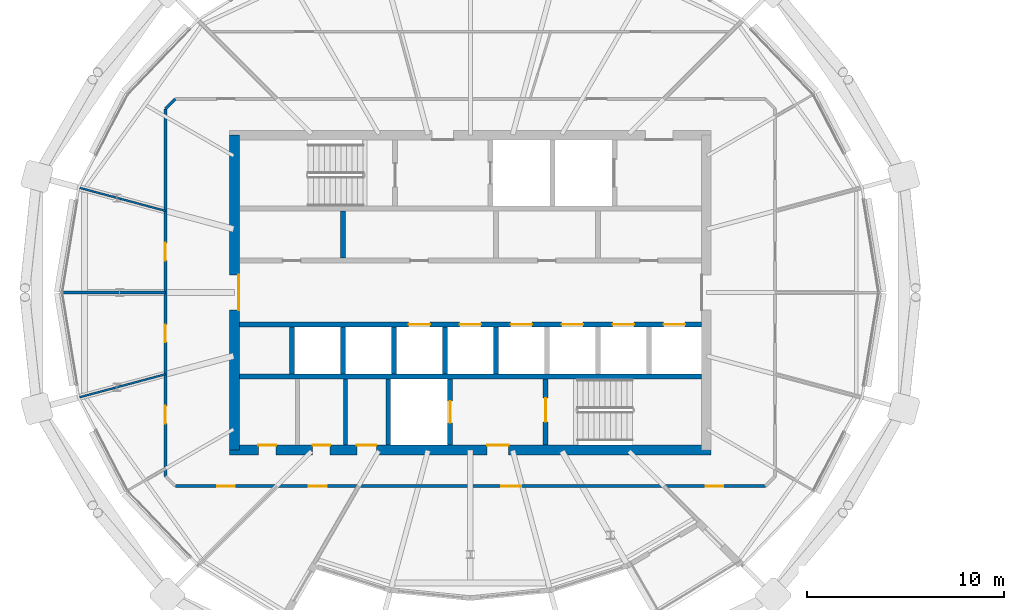
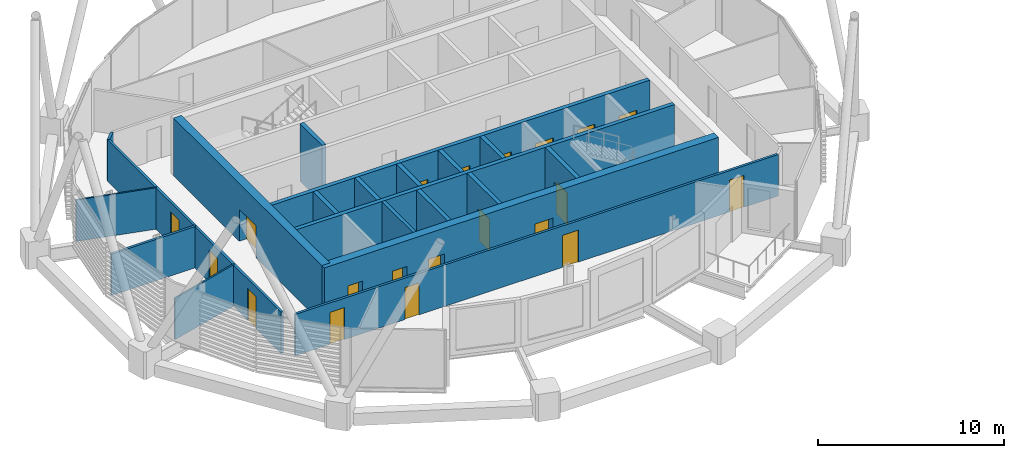
# One storey, part 21 of 34: 20 doors, 20 walls, 20 openings.
"""IFC4 building model written with IfcOpenShell, lengths in metres."""

from ifc_helpers import new_model, si_unit, direction, frame, frame_2d, origin, place, context, subcontext, project, spatial, rectangle, extrude, material, layer, layer_set, type_object, element, fill, save


model = new_model("IFC4")

# Units and contexts
model_context = context("Model", 3, precision=1e-05, world=origin(), true_north=direction((0.0, 1.0)))
body_context = subcontext(model_context, "Body", "Model", "MODEL_VIEW")
ifc_project = project(units=[si_unit("LENGTHUNIT", "METRE"), si_unit("AREAUNIT", "SQUARE_METRE"), si_unit("VOLUMEUNIT", "CUBIC_METRE"), si_unit("PLANEANGLEUNIT", "RADIAN"), si_unit("MASSUNIT", "GRAM", prefix="KILO")], contexts=[model_context])

# Site, building, storey
site_placement = place(None, origin())
site = spatial("IfcSite", under=ifc_project, at=site_placement, CompositionType="ELEMENT")
building_placement = place(site_placement, origin())
building = spatial("IfcBuilding", under=site, at=building_placement, Name="Rimbun Link Towers", CompositionType="ELEMENT")
storey_placement = place(building_placement, frame((0.0, 0.0, 221.89990234375)))
storey = spatial("IfcBuildingStorey", under=building, at=storey_placement, Name="L54", CompositionType="ELEMENT", Elevation=221.89990234375)

# Wall
ifc_material_1 = material(Name="Masonry blockwork", Category="masonry")
ifc_layer_1 = layer(ifc_material_1, 0.199951171875)
ifc_layer_set_1 = layer_set([ifc_layer_1], Name="Core partition 200")
wall_type_1 = type_object("IfcWallType", Name="Core partition 200", PredefinedType="PARTITIONING", material=ifc_layer_set_1)
wall_1_placement = place(storey_placement, frame((-38.10009765625, -4.39990234375, 0.0), z_axis=(0.0, 0.0, 1.0), x_axis=(0.0, -1.0, 0.0)))
element("IfcWall", 1, at=wall_1_placement, inside=storey, type_object=wall_type_1, Name="L54 T1 core wall C2", PredefinedType="PARTITIONING", context=body_context, shape_type="SweptSolid", body=[
    extrude(rectangle(XDim=3.35009765625, YDim=0.199951171875, at=frame_2d((1.675048828125, 0.0))), origin(), (0.0, 0.0, 1.0), 3.800048828125),
])

# Wall, openings, doors
ifc_material_2 = material(Name="Concrete C60/75", Category="concrete")
ifc_layer_2 = layer(ifc_material_2, 0.5)
ifc_layer_set_2 = layer_set([ifc_layer_2], Name="Core shear wall 500")
wall_type_2 = type_object("IfcWallType", Name="Core shear wall 500", PredefinedType="SHEAR", material=ifc_layer_set_2)
wall_2_placement = place(storey_placement, frame((-44.0, -8.0, 0.0), z_axis=(0.0, 0.0, 1.0), x_axis=(1.0, 0.0, 0.0)))
wall_2 = element("IfcWall", 2, at=wall_2_placement, inside=storey, type_object=wall_type_2, Name="L54 T1 core wall S", PredefinedType="SHEAR", context=body_context, shape_type="SweptSolid", body=[
    extrude(rectangle(XDim=24.5, YDim=0.5, at=frame_2d((12.25, 0.0))), origin(), (0.0, 0.0, 1.0), 3.800048828125),
])
opening_1_placement = place(wall_2_placement, frame((13.10009765625, 0.0, 0.0)))
opening_1 = element("IfcOpeningElement", 3, at=opening_1_placement, cuts=wall_2, Name="Opening C1DCF01S", PredefinedType="OPENING", context=body_context, shape_type="SweptSolid", body=[
    extrude(rectangle(XDim=1.10009765625, YDim=2.10009765625, at=frame_2d((0.550048828125, 1.050048828125))), frame((0.0, 0.260009765625, 0.0), z_axis=(0.0, -1.0, 0.0), x_axis=(1.0, 0.0, 0.0)), (0.0, 0.0, 1.0), 0.52001953125),
])
opening_2_placement = place(wall_2_placement, frame((1.47509765625, 0.0, 0.0)))
opening_2 = element("IfcOpeningElement", 4, at=opening_2_placement, cuts=wall_2, Name="Opening C1DWC02S", PredefinedType="OPENING", context=body_context, shape_type="SweptSolid", body=[
    extrude(rectangle(XDim=0.89990234375, YDim=2.10009765625, at=frame_2d((0.449951171875, 1.050048828125))), frame((0.0, 0.260009765625, 0.0), z_axis=(0.0, -1.0, 0.0), x_axis=(1.0, 0.0, 0.0)), (0.0, 0.0, 1.0), 0.52001953125),
])
opening_3_placement = place(wall_2_placement, frame((4.22509765625, 0.0, 0.0)))
opening_3 = element("IfcOpeningElement", 5, at=opening_3_placement, cuts=wall_2, Name="Opening C1DWC03S", PredefinedType="OPENING", context=body_context, shape_type="SweptSolid", body=[
    extrude(rectangle(XDim=0.89990234375, YDim=2.10009765625, at=frame_2d((0.449951171875, 1.050048828125))), frame((0.0, 0.260009765625, 0.0), z_axis=(0.0, -1.0, 0.0), x_axis=(1.0, 0.0, 0.0)), (0.0, 0.0, 1.0), 0.52001953125),
])
opening_4_placement = place(wall_2_placement, frame((6.47509765625, 0.0, 0.0)))
opening_4 = element("IfcOpeningElement", 6, at=opening_4_placement, cuts=wall_2, Name="Opening C1DAW04S", PredefinedType="OPENING", context=body_context, shape_type="SweptSolid", body=[
    extrude(rectangle(XDim=1.0, YDim=2.10009765625, at=frame_2d((0.5, 1.050048828125))), frame((0.0, 0.260009765625, 0.0), z_axis=(0.0, -1.0, 0.0), x_axis=(1.0, 0.0, 0.0)), (0.0, 0.0, 1.0), 0.52001953125),
])
ifc_material_3 = material(Name="Timber", Category="wood")
door_type_1 = type_object("IfcDoorType", Name="Accessible WC door", OperationType="SINGLE_SWING_LEFT", PredefinedType="DOOR", material=ifc_material_3)
door_1_placement = place(opening_4_placement, origin())
door_1 = element("IfcDoor", 7, at=door_1_placement, inside=storey, type_object=door_type_1, Name="L54 T1 accessible wc door", OperationType="SINGLE_SWING_RIGHT", OverallHeight=2.10009765625, OverallWidth=1.0, PredefinedType="DOOR", context=body_context, shape_type="SweptSolid", body=[
    extrude(rectangle(XDim=1.0, YDim=2.10009765625, at=frame_2d((0.5, 1.050048828125))), frame((0.0, 0.25, 0.0), z_axis=(0.0, -1.0, 0.0), x_axis=(1.0, 0.0, 0.0)), (0.0, 0.0, 1.0), 0.050048828125),
])
fill(opening_4, door_1)
ifc_material_4 = material(Name="Steel fire door set", Category="steel")
door_type_2 = type_object("IfcDoorType", Name="Core fire door single", OperationType="SINGLE_SWING_LEFT", PredefinedType="DOOR", material=ifc_material_4)
door_2_placement = place(opening_1_placement, origin())
door_2 = element("IfcDoor", 8, at=door_2_placement, inside=storey, type_object=door_type_2, Name="L54 T1 firefighting lobby s door", OperationType="SINGLE_SWING_RIGHT", OverallHeight=2.10009765625, OverallWidth=1.10009765625, PredefinedType="DOOR", context=body_context, shape_type="SweptSolid", body=[
    extrude(rectangle(XDim=1.10009765625, YDim=2.10009765625, at=frame_2d((0.550048828125, 1.050048828125))), frame((0.0, 0.25, 0.0), z_axis=(0.0, -1.0, 0.0), x_axis=(1.0, 0.0, 0.0)), (0.0, 0.0, 1.0), 0.050048828125),
])
fill(opening_1, door_2)
ifc_material_5 = material(Name="Timber", Category="wood")
door_type_3 = type_object("IfcDoorType", Name="WC door", OperationType="SINGLE_SWING_LEFT", PredefinedType="DOOR", material=ifc_material_5)
door_3_placement = place(opening_2_placement, origin())
door_3 = element("IfcDoor", 9, at=door_3_placement, inside=storey, type_object=door_type_3, Name="L54 T1 male wc door", OperationType="SINGLE_SWING_RIGHT", OverallHeight=2.10009765625, OverallWidth=0.89990234375, PredefinedType="DOOR", context=body_context, shape_type="SweptSolid", body=[
    extrude(rectangle(XDim=0.89990234375, YDim=2.10009765625, at=frame_2d((0.449951171875, 1.050048828125))), frame((0.0, 0.25, 0.0), z_axis=(0.0, -1.0, 0.0), x_axis=(1.0, 0.0, 0.0)), (0.0, 0.0, 1.0), 0.050048828125),
])
fill(opening_2, door_3)
door_4_placement = place(opening_3_placement, origin())
door_4 = element("IfcDoor", 10, at=door_4_placement, inside=storey, type_object=door_type_3, Name="L54 T1 female wc door", OperationType="SINGLE_SWING_RIGHT", OverallHeight=2.10009765625, OverallWidth=0.89990234375, PredefinedType="DOOR", context=body_context, shape_type="SweptSolid", body=[
    extrude(rectangle(XDim=0.89990234375, YDim=2.10009765625, at=frame_2d((0.449951171875, 1.050048828125))), frame((0.0, 0.25, 0.0), z_axis=(0.0, -1.0, 0.0), x_axis=(1.0, 0.0, 0.0)), (0.0, 0.0, 1.0), 0.050048828125),
])
fill(opening_3, door_4)

# Wall, opening, door
wall_3_placement = place(storey_placement, frame((-43.75, -8.0, 0.0), z_axis=(0.0, 0.0, 1.0), x_axis=(0.0, 1.0, 0.0)))
wall_3 = element("IfcWall", 11, at=wall_3_placement, inside=storey, type_object=wall_type_2, Name="L54 T1 core wall W", PredefinedType="SHEAR", context=body_context, shape_type="SweptSolid", body=[
    extrude(rectangle(XDim=16.0, YDim=0.5, at=frame_2d((8.0, 0.0))), origin(), (0.0, 0.0, 1.0), 3.800048828125),
])
opening_5_placement = place(wall_3_placement, frame((7.10009765625, 0.0, 0.0)))
opening_5 = element("IfcOpeningElement", 12, at=opening_5_placement, cuts=wall_3, Name="Opening C1DCL01W", PredefinedType="OPENING", context=body_context, shape_type="SweptSolid", body=[
    extrude(rectangle(XDim=1.800048828125, YDim=2.10009765625, at=frame_2d((0.89990234375, 1.050048828125))), frame((0.0, 0.260009765625, 0.0), z_axis=(0.0, -1.0, 0.0), x_axis=(1.0, 0.0, 0.0)), (0.0, 0.0, 1.0), 0.52001953125),
])
ifc_material_6 = material(Name="Steel fire door set", Category="steel")
door_type_4 = type_object("IfcDoorType", Name="Core lobby door double", OperationType="DOUBLE_DOOR_SINGLE_SWING", PredefinedType="DOOR", material=ifc_material_6)
door_5_placement = place(opening_5_placement, origin())
door_5 = element("IfcDoor", 13, at=door_5_placement, inside=storey, type_object=door_type_4, Name="L54 T1 lift lobby door", OperationType="DOUBLE_DOOR_SINGLE_SWING", OverallHeight=2.10009765625, OverallWidth=1.800048828125, PredefinedType="DOOR", context=body_context, shape_type="SweptSolid", body=[
    extrude(rectangle(XDim=1.800048828125, YDim=2.10009765625, at=frame_2d((0.89990234375, 1.050048828125))), frame((0.0, -0.2001953125, 0.0), z_axis=(0.0, -1.0, 0.0), x_axis=(1.0, 0.0, 0.0)), (0.0, 0.0, 1.0), 0.050048828125),
])
fill(opening_5, door_5)

# Wall, openings, doors
ifc_material_7 = material(Name="Plasterboard on steel stud, mineral wool", Category="steel")
ifc_layer_3 = layer(ifc_material_7, 0.14990234375)
ifc_layer_set_3 = layer_set([ifc_layer_3], Name="Corridor wall EI 30 150 mm")
wall_type_3 = type_object("IfcWallType", Name="Corridor wall EI 30 150 mm", PredefinedType="PARTITIONING", material=ifc_layer_set_3)
wall_4_placement = place(storey_placement, frame((-16.746337890625, -9.844970703125, 0.0), z_axis=(0.0, 0.0, 1.0), x_axis=(-1.0, 0.0, 0.0)))
wall_4 = element("IfcWall", 14, at=wall_4_placement, inside=storey, type_object=wall_type_3, Name="Corridor wall EI 30 150 mm", PredefinedType="PARTITIONING", context=body_context, shape_type="SweptSolid", body=[
    extrude(rectangle(XDim=30.00732421875, YDim=0.14990234375, at=frame_2d((15.003662109375, 0.0))), origin(), (0.0, 0.0, 1.0), 2.72216796875),
])
opening_6_placement = place(wall_4_placement, frame((2.12939453125, 0.0, 0.0)))
opening_6 = element("IfcOpeningElement", 15, at=opening_6_placement, cuts=wall_4, Name="Opening D02", PredefinedType="OPENING", context=body_context, shape_type="SweptSolid", body=[
    extrude(rectangle(XDim=0.89990234375, YDim=2.10009765625, at=frame_2d((0.449951171875, 1.050048828125))), frame((0.0, 0.0849609375, 0.0), z_axis=(0.0, -1.0, 0.0), x_axis=(1.0, 0.0, 0.0)), (0.0, 0.0, 1.0), 0.169921875),
])
opening_7_placement = place(wall_4_placement, frame((26.97802734375, 0.0, 0.0)))
opening_7 = element("IfcOpeningElement", 16, at=opening_7_placement, cuts=wall_4, Name="Opening D02", PredefinedType="OPENING", context=body_context, shape_type="SweptSolid", body=[
    extrude(rectangle(XDim=0.89990234375, YDim=2.10009765625, at=frame_2d((0.449951171875, 1.050048828125))), frame((0.0, 0.0849609375, 0.0), z_axis=(0.0, -1.0, 0.0), x_axis=(1.0, 0.0, 0.0)), (0.0, 0.0, 1.0), 0.169921875),
])
opening_8_placement = place(wall_4_placement, frame((22.318115234375, 0.0, 0.0)))
opening_8 = element("IfcOpeningElement", 17, at=opening_8_placement, cuts=wall_4, Name="Opening D02", PredefinedType="OPENING", context=body_context, shape_type="SweptSolid", body=[
    extrude(rectangle(XDim=0.89990234375, YDim=2.10009765625, at=frame_2d((0.449951171875, 1.050048828125))), frame((0.0, 0.0849609375, 0.0), z_axis=(0.0, -1.0, 0.0), x_axis=(1.0, 0.0, 0.0)), (0.0, 0.0, 1.0), 0.169921875),
])
opening_9_placement = place(wall_4_placement, frame((12.423095703125, 0.0, 0.0)))
opening_9 = element("IfcOpeningElement", 18, at=opening_9_placement, cuts=wall_4, Name="Opening D01", PredefinedType="OPENING", context=body_context, shape_type="SweptSolid", body=[
    extrude(rectangle(XDim=1.0, YDim=2.10009765625, at=frame_2d((0.5, 1.050048828125))), frame((0.0, 0.0849609375, 0.0), z_axis=(0.0, -1.0, 0.0), x_axis=(1.0, 0.0, 0.0)), (0.0, 0.0, 1.0), 0.169921875),
])
ifc_material_8 = material(Name="Fire-resisting timber door leaf", Category="wood")
door_type_5 = type_object("IfcDoorType", Name="Fire door FD30S 1000", OperationType="NOTDEFINED", PredefinedType="DOOR", material=ifc_material_8)
door_6_placement = place(opening_9_placement, origin())
door_6 = element("IfcDoor", 19, at=door_6_placement, inside=storey, type_object=door_type_5, Name="Fire door FD30S 1000 to Terrace office", OperationType="SINGLE_SWING_RIGHT", OverallHeight=2.10009765625, OverallWidth=1.0, PredefinedType="DOOR", context=body_context, shape_type="SweptSolid", body=[
    extrude(rectangle(XDim=1.0, YDim=2.10009765625, at=frame_2d((0.5, 1.050048828125))), frame((0.0, 0.02490234375, 0.0), z_axis=(0.0, -1.0, 0.0), x_axis=(1.0, 0.0, 0.0)), (0.0, 0.0, 1.0), 0.050048828125),
])
fill(opening_9, door_6)
ifc_material_9 = material(Name="Fire-resisting timber door leaf", Category="wood")
door_type_6 = type_object("IfcDoorType", Name="Fire door FD30S 900", OperationType="NOTDEFINED", PredefinedType="DOOR", material=ifc_material_9)
door_7_placement = place(opening_6_placement, origin())
door_7 = element("IfcDoor", 20, at=door_7_placement, inside=storey, type_object=door_type_6, Name="Fire door FD30S 900 to Meeting room", OperationType="SINGLE_SWING_LEFT", OverallHeight=2.10009765625, OverallWidth=0.89990234375, PredefinedType="DOOR", context=body_context, shape_type="SweptSolid", body=[
    extrude(rectangle(XDim=0.89990234375, YDim=2.10009765625, at=frame_2d((0.449951171875, 1.050048828125))), frame((0.0, 0.02490234375, 0.0), z_axis=(0.0, -1.0, 0.0), x_axis=(1.0, 0.0, 0.0)), (0.0, 0.0, 1.0), 0.050048828125),
])
fill(opening_6, door_7)
door_8_placement = place(opening_7_placement, origin())
door_8 = element("IfcDoor", 21, at=door_8_placement, inside=storey, type_object=door_type_6, Name="Fire door FD30S 900 to Open office", OperationType="SINGLE_SWING_RIGHT", OverallHeight=2.10009765625, OverallWidth=0.89990234375, PredefinedType="DOOR", context=body_context, shape_type="SweptSolid", body=[
    extrude(rectangle(XDim=0.89990234375, YDim=2.10009765625, at=frame_2d((0.449951171875, 1.050048828125))), frame((0.0, 0.02490234375, 0.0), z_axis=(0.0, -1.0, 0.0), x_axis=(1.0, 0.0, 0.0)), (0.0, 0.0, 1.0), 0.050048828125),
])
fill(opening_7, door_8)
door_9_placement = place(opening_8_placement, origin())
door_9 = element("IfcDoor", 22, at=door_9_placement, inside=storey, type_object=door_type_6, Name="Fire door FD30S 900 to Boardroom", OperationType="SINGLE_SWING_LEFT", OverallHeight=2.10009765625, OverallWidth=0.89990234375, PredefinedType="DOOR", context=body_context, shape_type="SweptSolid", body=[
    extrude(rectangle(XDim=0.89990234375, YDim=2.10009765625, at=frame_2d((0.449951171875, 1.050048828125))), frame((0.0, 0.02490234375, 0.0), z_axis=(0.0, -1.0, 0.0), x_axis=(1.0, 0.0, 0.0)), (0.0, 0.0, 1.0), 0.050048828125),
])
fill(opening_8, door_9)

wall_5_placement = place(storey_placement, frame((-47.2548828125, -9.34375, 0.0), z_axis=(0.0, 0.0, 1.0), x_axis=(0.0, 1.0, 0.0)))
wall_5 = element("IfcWall", 23, at=wall_5_placement, inside=storey, type_object=wall_type_3, Name="Corridor wall EI 30 150 mm", PredefinedType="PARTITIONING", context=body_context, shape_type="SweptSolid", body=[
    extrude(rectangle(XDim=18.6875, YDim=0.14990234375, at=frame_2d((9.34375, 0.0))), origin(), (0.0, 0.0, 1.0), 2.72216796875),
])
opening_10_placement = place(wall_5_placement, frame((10.970947265625, 0.0, 0.0)))
opening_10 = element("IfcOpeningElement", 24, at=opening_10_placement, cuts=wall_5, Name="Opening D02", PredefinedType="OPENING", context=body_context, shape_type="SweptSolid", body=[
    extrude(rectangle(XDim=0.89990234375, YDim=2.10009765625, at=frame_2d((0.449951171875, 1.050048828125))), frame((0.0, 0.0849609375, 0.0), z_axis=(0.0, -1.0, 0.0), x_axis=(1.0, 0.0, 0.0)), (0.0, 0.0, 1.0), 0.169921875),
])
opening_11_placement = place(wall_5_placement, frame((6.81640625, 0.0, 0.0)))
opening_11 = element("IfcOpeningElement", 25, at=opening_11_placement, cuts=wall_5, Name="Opening D02", PredefinedType="OPENING", context=body_context, shape_type="SweptSolid", body=[
    extrude(rectangle(XDim=0.89990234375, YDim=2.10009765625, at=frame_2d((0.449951171875, 1.050048828125))), frame((0.0, 0.0849609375, 0.0), z_axis=(0.0, -1.0, 0.0), x_axis=(1.0, 0.0, 0.0)), (0.0, 0.0, 1.0), 0.169921875),
])
opening_12_placement = place(wall_5_placement, frame((2.676513671875, 0.0, 0.0)))
opening_12 = element("IfcOpeningElement", 26, at=opening_12_placement, cuts=wall_5, Name="Opening D02", PredefinedType="OPENING", context=body_context, shape_type="SweptSolid", body=[
    extrude(rectangle(XDim=0.89990234375, YDim=2.10009765625, at=frame_2d((0.449951171875, 1.050048828125))), frame((0.0, 0.0849609375, 0.0), z_axis=(0.0, -1.0, 0.0), x_axis=(1.0, 0.0, 0.0)), (0.0, 0.0, 1.0), 0.169921875),
])
door_10_placement = place(opening_10_placement, origin())
door_10 = element("IfcDoor", 27, at=door_10_placement, inside=storey, type_object=door_type_6, Name="Fire door FD30S 900 to Meeting room", OperationType="SINGLE_SWING_LEFT", OverallHeight=2.10009765625, OverallWidth=0.89990234375, PredefinedType="DOOR", context=body_context, shape_type="SweptSolid", body=[
    extrude(rectangle(XDim=0.89990234375, YDim=2.10009765625, at=frame_2d((0.449951171875, 1.050048828125))), frame((0.0, 0.02490234375, 0.0), z_axis=(0.0, -1.0, 0.0), x_axis=(1.0, 0.0, 0.0)), (0.0, 0.0, 1.0), 0.050048828125),
])
fill(opening_10, door_10)
door_11_placement = place(opening_11_placement, origin())
door_11 = element("IfcDoor", 28, at=door_11_placement, inside=storey, type_object=door_type_6, Name="Fire door FD30S 900 to Meeting room", OperationType="SINGLE_SWING_RIGHT", OverallHeight=2.10009765625, OverallWidth=0.89990234375, PredefinedType="DOOR", context=body_context, shape_type="SweptSolid", body=[
    extrude(rectangle(XDim=0.89990234375, YDim=2.10009765625, at=frame_2d((0.449951171875, 1.050048828125))), frame((0.0, 0.02490234375, 0.0), z_axis=(0.0, -1.0, 0.0), x_axis=(1.0, 0.0, 0.0)), (0.0, 0.0, 1.0), 0.050048828125),
])
fill(opening_11, door_11)
door_12_placement = place(opening_12_placement, origin())
door_12 = element("IfcDoor", 29, at=door_12_placement, inside=storey, type_object=door_type_6, Name="Fire door FD30S 900 to Executive office", OperationType="SINGLE_SWING_LEFT", OverallHeight=2.10009765625, OverallWidth=0.89990234375, PredefinedType="DOOR", context=body_context, shape_type="SweptSolid", body=[
    extrude(rectangle(XDim=0.89990234375, YDim=2.10009765625, at=frame_2d((0.449951171875, 1.050048828125))), frame((0.0, 0.02490234375, 0.0), z_axis=(0.0, -1.0, 0.0), x_axis=(1.0, 0.0, 0.0)), (0.0, 0.0, 1.0), 0.050048828125),
])
fill(opening_12, door_12)

# Walls
wall_6_placement = place(storey_placement, frame((-46.753662109375, 9.844970703125, 0.0), z_axis=(0.0, 0.0, 1.0), x_axis=(-0.707106781187, -0.707106781187, 0.0)))
element("IfcWall", 30, at=wall_6_placement, inside=storey, type_object=wall_type_3, Name="Corridor wall EI 30 150 mm", PredefinedType="PARTITIONING", context=body_context, shape_type="SweptSolid", body=[
    extrude(rectangle(XDim=0.708740234375, YDim=0.14990234375, at=frame_2d((0.3544921875, 0.0))), origin(), (0.0, 0.0, 1.0), 2.72216796875),
])
ifc_material_10 = material(Name="Plasterboard on steel stud", Category="steel")
ifc_layer_4 = layer(ifc_material_10, 0.10009765625)
ifc_layer_set_4 = layer_set([ifc_layer_4], Name="Plasterboard partition 100 mm")
wall_type_4 = type_object("IfcWallType", Name="Plasterboard partition 100 mm", PredefinedType="PARTITIONING", material=ifc_layer_set_4)
for number, where, z_axis, x_axis, name in (
    (31, (-51.6171875, 5.323486328125, 0.0), (0.0, 0.0, 1.0), (0.965921990313, -0.258833360735, 0.0), "Plasterboard partition 100 mm"),
    (32, (-51.6171875, -5.323486328125, 0.0), (0.0, 0.0, 1.0), (0.965921990313, 0.258833360735, 0.0), "Plasterboard partition 100 mm"),
):
    element("IfcWall", number, at=place(storey_placement, frame(where, z_axis=z_axis, x_axis=x_axis)), inside=storey, type_object=wall_type_4, Name=name, PredefinedType="PARTITIONING", context=body_context, shape_type="SweptSolid", body=[
        extrude(rectangle(XDim=4.51611328125, YDim=0.10009765625, at=frame_2d((2.258056640625, 0.0))), origin(), (0.0, 0.0, 1.0), 2.72216796875),
    ])
ifc_material_11 = material(Name="Concrete C60/75", Category="concrete")
ifc_layer_5 = layer(ifc_material_11, 0.25)
ifc_layer_set_5 = layer_set([ifc_layer_5], Name="Shaft wall 250")
wall_type_5 = type_object("IfcWallType", Name="Shaft wall 250", PredefinedType="SHEAR", material=ifc_layer_set_5)
wall_7_placement = place(storey_placement, frame((-43.5, -4.27490234375, 0.0), z_axis=(0.0, 0.0, 1.0), x_axis=(1.0, 0.0, 0.0)))
element("IfcWall", 33, at=wall_7_placement, inside=storey, type_object=wall_type_5, Name="L54 T1 core wall BS", PredefinedType="SHEAR", context=body_context, shape_type="SweptSolid", body=[
    extrude(rectangle(XDim=23.5, YDim=0.25, at=frame_2d((11.75, 0.0))), origin(), (0.0, 0.0, 1.0), 3.800048828125),
])

# Wall, openings, doors
wall_8_placement = place(storey_placement, frame((-43.5, -1.625, 0.0), z_axis=(0.0, 0.0, 1.0), x_axis=(1.0, 0.0, 0.0)))
wall_8 = element("IfcWall", 34, at=wall_8_placement, inside=storey, type_object=wall_type_5, Name="L54 T1 core wall FS", PredefinedType="SHEAR", context=body_context, shape_type="SweptSolid", body=[
    extrude(rectangle(XDim=23.5, YDim=0.25, at=frame_2d((11.75, 0.0))), origin(), (0.0, 0.0, 1.0), 3.800048828125),
])
opening_13_placement = place(wall_8_placement, frame((8.605712890625, 0.0, 0.0)))
opening_13 = element("IfcOpeningElement", 35, at=opening_13_placement, cuts=wall_8, Name="Opening LD-T1-HR1", PredefinedType="OPENING", context=body_context, shape_type="SweptSolid", body=[
    extrude(rectangle(XDim=1.10009765625, YDim=2.10009765625, at=frame_2d((0.550048828125, 1.050048828125))), frame((0.0, 0.135009765625, 0.0), z_axis=(0.0, -1.0, 0.0), x_axis=(1.0, 0.0, 0.0)), (0.0, 0.0, 1.0), 0.27001953125),
])
opening_14_placement = place(wall_8_placement, frame((11.199951171875, 0.0, 0.0)))
opening_14 = element("IfcOpeningElement", 36, at=opening_14_placement, cuts=wall_8, Name="Opening LD-T1-HR2", PredefinedType="OPENING", context=body_context, shape_type="SweptSolid", body=[
    extrude(rectangle(XDim=1.10009765625, YDim=2.10009765625, at=frame_2d((0.550048828125, 1.050048828125))), frame((0.0, 0.135009765625, 0.0), z_axis=(0.0, -1.0, 0.0), x_axis=(1.0, 0.0, 0.0)), (0.0, 0.0, 1.0), 0.27001953125),
])
opening_15_placement = place(wall_8_placement, frame((13.79443359375, 0.0, 0.0)))
opening_15 = element("IfcOpeningElement", 37, at=opening_15_placement, cuts=wall_8, Name="Opening LD-T1-HR3", PredefinedType="OPENING", context=body_context, shape_type="SweptSolid", body=[
    extrude(rectangle(XDim=1.10009765625, YDim=2.10009765625, at=frame_2d((0.550048828125, 1.050048828125))), frame((0.0, 0.135009765625, 0.0), z_axis=(0.0, -1.0, 0.0), x_axis=(1.0, 0.0, 0.0)), (0.0, 0.0, 1.0), 0.27001953125),
])
opening_16_placement = place(wall_8_placement, frame((16.388916015625, 0.0, 0.0)))
opening_16 = element("IfcOpeningElement", 38, at=opening_16_placement, cuts=wall_8, Name="Opening LD-T1-HR4", PredefinedType="OPENING", context=body_context, shape_type="SweptSolid", body=[
    extrude(rectangle(XDim=1.10009765625, YDim=2.10009765625, at=frame_2d((0.550048828125, 1.050048828125))), frame((0.0, 0.135009765625, 0.0), z_axis=(0.0, -1.0, 0.0), x_axis=(1.0, 0.0, 0.0)), (0.0, 0.0, 1.0), 0.27001953125),
])
opening_17_placement = place(wall_8_placement, frame((18.9833984375, 0.0, 0.0)))
opening_17 = element("IfcOpeningElement", 39, at=opening_17_placement, cuts=wall_8, Name="Opening LD-T1-HR5", PredefinedType="OPENING", context=body_context, shape_type="SweptSolid", body=[
    extrude(rectangle(XDim=1.10009765625, YDim=2.10009765625, at=frame_2d((0.550048828125, 1.050048828125))), frame((0.0, 0.135009765625, 0.0), z_axis=(0.0, -1.0, 0.0), x_axis=(1.0, 0.0, 0.0)), (0.0, 0.0, 1.0), 0.27001953125),
])
opening_18_placement = place(wall_8_placement, frame((21.577880859375, 0.0, 0.0)))
opening_18 = element("IfcOpeningElement", 40, at=opening_18_placement, cuts=wall_8, Name="Opening LD-T1-HR6", PredefinedType="OPENING", context=body_context, shape_type="SweptSolid", body=[
    extrude(rectangle(XDim=1.10009765625, YDim=2.10009765625, at=frame_2d((0.550048828125, 1.050048828125))), frame((0.0, 0.135009765625, 0.0), z_axis=(0.0, -1.0, 0.0), x_axis=(1.0, 0.0, 0.0)), (0.0, 0.0, 1.0), 0.27001953125),
])
ifc_material_12 = material(Name="Stainless steel grade 316", Category="steel")
door_type_7 = type_object("IfcDoorType", Name="Lift landing door", OperationType="DOUBLE_DOOR_SLIDING", PredefinedType="DOOR", material=ifc_material_12)
door_13_placement = place(opening_13_placement, origin())
door_13 = element("IfcDoor", 41, at=door_13_placement, inside=storey, type_object=door_type_7, Name="L54 T1 lift HR1 landing door", OperationType="DOUBLE_DOOR_SLIDING", OverallHeight=2.10009765625, OverallWidth=1.10009765625, PredefinedType="DOOR", context=body_context, shape_type="SweptSolid", body=[
    extrude(rectangle(XDim=1.10009765625, YDim=2.10009765625, at=frame_2d((0.550048828125, 1.050048828125))), frame((0.0, 0.02490234375, 0.0), z_axis=(0.0, -1.0, 0.0), x_axis=(1.0, 0.0, 0.0)), (0.0, 0.0, 1.0), 0.050048828125),
])
fill(opening_13, door_13)
door_14_placement = place(opening_14_placement, origin())
door_14 = element("IfcDoor", 42, at=door_14_placement, inside=storey, type_object=door_type_7, Name="L54 T1 lift HR2 landing door", OperationType="DOUBLE_DOOR_SLIDING", OverallHeight=2.10009765625, OverallWidth=1.10009765625, PredefinedType="DOOR", context=body_context, shape_type="SweptSolid", body=[
    extrude(rectangle(XDim=1.10009765625, YDim=2.10009765625, at=frame_2d((0.550048828125, 1.050048828125))), frame((0.0, 0.02490234375, 0.0), z_axis=(0.0, -1.0, 0.0), x_axis=(1.0, 0.0, 0.0)), (0.0, 0.0, 1.0), 0.050048828125),
])
fill(opening_14, door_14)
door_15_placement = place(opening_15_placement, origin())
door_15 = element("IfcDoor", 43, at=door_15_placement, inside=storey, type_object=door_type_7, Name="L54 T1 lift HR3 landing door", OperationType="DOUBLE_DOOR_SLIDING", OverallHeight=2.10009765625, OverallWidth=1.10009765625, PredefinedType="DOOR", context=body_context, shape_type="SweptSolid", body=[
    extrude(rectangle(XDim=1.10009765625, YDim=2.10009765625, at=frame_2d((0.550048828125, 1.050048828125))), frame((0.0, 0.02490234375, 0.0), z_axis=(0.0, -1.0, 0.0), x_axis=(1.0, 0.0, 0.0)), (0.0, 0.0, 1.0), 0.050048828125),
])
fill(opening_15, door_15)
door_16_placement = place(opening_16_placement, origin())
door_16 = element("IfcDoor", 44, at=door_16_placement, inside=storey, type_object=door_type_7, Name="L54 T1 lift HR4 landing door", OperationType="DOUBLE_DOOR_SLIDING", OverallHeight=2.10009765625, OverallWidth=1.10009765625, PredefinedType="DOOR", context=body_context, shape_type="SweptSolid", body=[
    extrude(rectangle(XDim=1.10009765625, YDim=2.10009765625, at=frame_2d((0.550048828125, 1.050048828125))), frame((0.0, 0.02490234375, 0.0), z_axis=(0.0, -1.0, 0.0), x_axis=(1.0, 0.0, 0.0)), (0.0, 0.0, 1.0), 0.050048828125),
])
fill(opening_16, door_16)
door_17_placement = place(opening_17_placement, origin())
door_17 = element("IfcDoor", 45, at=door_17_placement, inside=storey, type_object=door_type_7, Name="L54 T1 lift HR5 landing door", OperationType="DOUBLE_DOOR_SLIDING", OverallHeight=2.10009765625, OverallWidth=1.10009765625, PredefinedType="DOOR", context=body_context, shape_type="SweptSolid", body=[
    extrude(rectangle(XDim=1.10009765625, YDim=2.10009765625, at=frame_2d((0.550048828125, 1.050048828125))), frame((0.0, 0.02490234375, 0.0), z_axis=(0.0, -1.0, 0.0), x_axis=(1.0, 0.0, 0.0)), (0.0, 0.0, 1.0), 0.050048828125),
])
fill(opening_17, door_17)
door_18_placement = place(opening_18_placement, origin())
door_18 = element("IfcDoor", 46, at=door_18_placement, inside=storey, type_object=door_type_7, Name="L54 T1 lift HR6 landing door", OperationType="DOUBLE_DOOR_SLIDING", OverallHeight=2.10009765625, OverallWidth=1.10009765625, PredefinedType="DOOR", context=body_context, shape_type="SweptSolid", body=[
    extrude(rectangle(XDim=1.10009765625, YDim=2.10009765625, at=frame_2d((0.550048828125, 1.050048828125))), frame((0.0, 0.02490234375, 0.0), z_axis=(0.0, -1.0, 0.0), x_axis=(1.0, 0.0, 0.0)), (0.0, 0.0, 1.0), 0.050048828125),
])
fill(opening_18, door_18)

# Walls
for number, where, z_axis, x_axis, name in (
    (47, (-38.236083984375, 1.75, 0.0), (0.0, 0.0, 1.0), (0.0, 1.0, 0.0), "L54 T1 core wall DN1"),
    (48, (-40.83056640625, -4.14990234375, 0.0), (0.0, 0.0, 1.0), (0.0, 1.0, 0.0), "L54 T1 core wall DS0"),
    (49, (-38.236083984375, -4.14990234375, 0.0), (0.0, 0.0, 1.0), (0.0, 1.0, 0.0), "L54 T1 core wall DS1"),
    (50, (-35.6416015625, -4.14990234375, 0.0), (0.0, 0.0, 1.0), (0.0, 1.0, 0.0), "L54 T1 core wall DS2"),
    (51, (-33.047119140625, -4.14990234375, 0.0), (0.0, 0.0, 1.0), (0.0, 1.0, 0.0), "L54 T1 core wall DS3"),
    (52, (-30.452880859375, -4.14990234375, 0.0), (0.0, 0.0, 1.0), (0.0, 1.0, 0.0), "L54 T1 core wall DS4"),
):
    element("IfcWall", number, at=place(storey_placement, frame(where, z_axis=z_axis, x_axis=x_axis)), inside=storey, type_object=wall_type_5, Name=name, PredefinedType="SHEAR", context=body_context, shape_type="SweptSolid", body=[
        extrude(rectangle(XDim=2.39990234375, YDim=0.25, at=frame_2d((1.199951171875, 0.0))), origin(), (0.0, 0.0, 1.0), 3.800048828125),
    ])

# Wall, opening, door
wall_9_placement = place(storey_placement, frame((-27.925048828125, -4.39990234375, 0.0), z_axis=(0.0, 0.0, 1.0), x_axis=(0.0, -1.0, 0.0)))
wall_9 = element("IfcWall", 53, at=wall_9_placement, inside=storey, type_object=wall_type_5, Name="L54 T1 core wall B1", PredefinedType="SHEAR", context=body_context, shape_type="SweptSolid", body=[
    extrude(rectangle(XDim=3.35009765625, YDim=0.25, at=frame_2d((1.675048828125, 0.0))), origin(), (0.0, 0.0, 1.0), 3.800048828125),
])
opening_19_placement = place(wall_9_placement, frame((0.97509765625, 0.0, 0.0)))
opening_19 = element("IfcOpeningElement", 54, at=opening_19_placement, cuts=wall_9, Name="Opening C1DST01B1", PredefinedType="OPENING", context=body_context, shape_type="SweptSolid", body=[
    extrude(rectangle(XDim=1.199951171875, YDim=2.10009765625, at=frame_2d((0.60009765625, 1.050048828125))), frame((0.0, 0.135009765625, 0.0), z_axis=(0.0, -1.0, 0.0), x_axis=(1.0, 0.0, 0.0)), (0.0, 0.0, 1.0), 0.27001953125),
])
ifc_material_13 = material(Name="Steel fire door set", Category="steel")
door_type_8 = type_object("IfcDoorType", Name="Stair door", OperationType="SINGLE_SWING_LEFT", PredefinedType="DOOR", material=ifc_material_13)
door_19_placement = place(opening_19_placement, origin())
door_19 = element("IfcDoor", 55, at=door_19_placement, inside=storey, type_object=door_type_8, Name="L54 T1 stair b door", OperationType="SINGLE_SWING_LEFT", OverallHeight=2.10009765625, OverallWidth=1.199951171875, PredefinedType="DOOR", context=body_context, shape_type="SweptSolid", body=[
    extrude(rectangle(XDim=1.199951171875, YDim=2.10009765625, at=frame_2d((0.60009765625, 1.050048828125))), frame((0.0, 0.02490234375, 0.0), z_axis=(0.0, -1.0, 0.0), x_axis=(1.0, 0.0, 0.0)), (0.0, 0.0, 1.0), 0.050048828125),
])
fill(opening_19, door_19)

wall_10_placement = place(storey_placement, frame((-32.77490234375, -4.39990234375, 0.0), z_axis=(0.0, 0.0, 1.0), x_axis=(0.0, -1.0, 0.0)))
wall_10 = element("IfcWall", 56, at=wall_10_placement, inside=storey, type_object=wall_type_5, Name="L54 T1 core wall B2", PredefinedType="SHEAR", context=body_context, shape_type="SweptSolid", body=[
    extrude(rectangle(XDim=3.35009765625, YDim=0.25, at=frame_2d((1.675048828125, 0.0))), origin(), (0.0, 0.0, 1.0), 3.800048828125),
])
opening_20_placement = place(wall_10_placement, frame((1.125, 0.0, 0.0)))
opening_20 = element("IfcOpeningElement", 57, at=opening_20_placement, cuts=wall_10, Name="Opening LD-T1-FF2", PredefinedType="OPENING", context=body_context, shape_type="SweptSolid", body=[
    extrude(rectangle(XDim=1.10009765625, YDim=2.10009765625, at=frame_2d((0.550048828125, 1.050048828125))), frame((0.0, 0.135009765625, 0.0), z_axis=(0.0, -1.0, 0.0), x_axis=(1.0, 0.0, 0.0)), (0.0, 0.0, 1.0), 0.27001953125),
])
door_20_placement = place(opening_20_placement, origin())
door_20 = element("IfcDoor", 58, at=door_20_placement, inside=storey, type_object=door_type_7, Name="L54 T1 lift FF2 landing door", OperationType="DOUBLE_DOOR_SLIDING", OverallHeight=2.10009765625, OverallWidth=1.10009765625, PredefinedType="DOOR", context=body_context, shape_type="SweptSolid", body=[
    extrude(rectangle(XDim=1.10009765625, YDim=2.10009765625, at=frame_2d((0.550048828125, 1.050048828125))), frame((0.0, 0.02490234375, 0.0), z_axis=(0.0, -1.0, 0.0), x_axis=(1.0, 0.0, 0.0)), (0.0, 0.0, 1.0), 0.050048828125),
])
fill(opening_20, door_20)

# Walls
wall_11_placement = place(storey_placement, frame((-35.925048828125, -4.39990234375, 0.0), z_axis=(0.0, 0.0, 1.0), x_axis=(0.0, -1.0, 0.0)))
element("IfcWall", 59, at=wall_11_placement, inside=storey, type_object=wall_type_5, Name="L54 T1 core wall B3", PredefinedType="SHEAR", context=body_context, shape_type="SweptSolid", body=[
    extrude(rectangle(XDim=3.35009765625, YDim=0.25, at=frame_2d((1.675048828125, 0.0))), origin(), (0.0, 0.0, 1.0), 3.800048828125),
])
ifc_material_14 = material(Name="Plasterboard on steel stud, mineral wool", Category="steel")
ifc_layer_6 = layer(ifc_material_14, 0.14990234375)
ifc_layer_set_6 = layer_set([ifc_layer_6], Name="Tenancy separation wall EI 60 150 mm")
wall_type_6 = type_object("IfcWallType", Name="Tenancy separation wall EI 60 150 mm", PredefinedType="PARTITIONING", material=ifc_layer_set_6)
wall_12_placement = place(storey_placement, frame((-47.2548828125, 0.0, 0.0), z_axis=(0.0, 0.0, 1.0), x_axis=(-1.0, 0.0, 0.0)))
element("IfcWall", 60, at=wall_12_placement, inside=storey, type_object=wall_type_6, Name="Tenancy separation wall EI 60 150 mm", PredefinedType="PARTITIONING", context=body_context, shape_type="SweptSolid", body=[
    extrude(rectangle(XDim=5.23779296875, YDim=0.14990234375, at=frame_2d((2.618896484375, 0.0))), origin(), (0.0, 0.0, 1.0), 2.72216796875),
])

save(model, "model.ifc")
